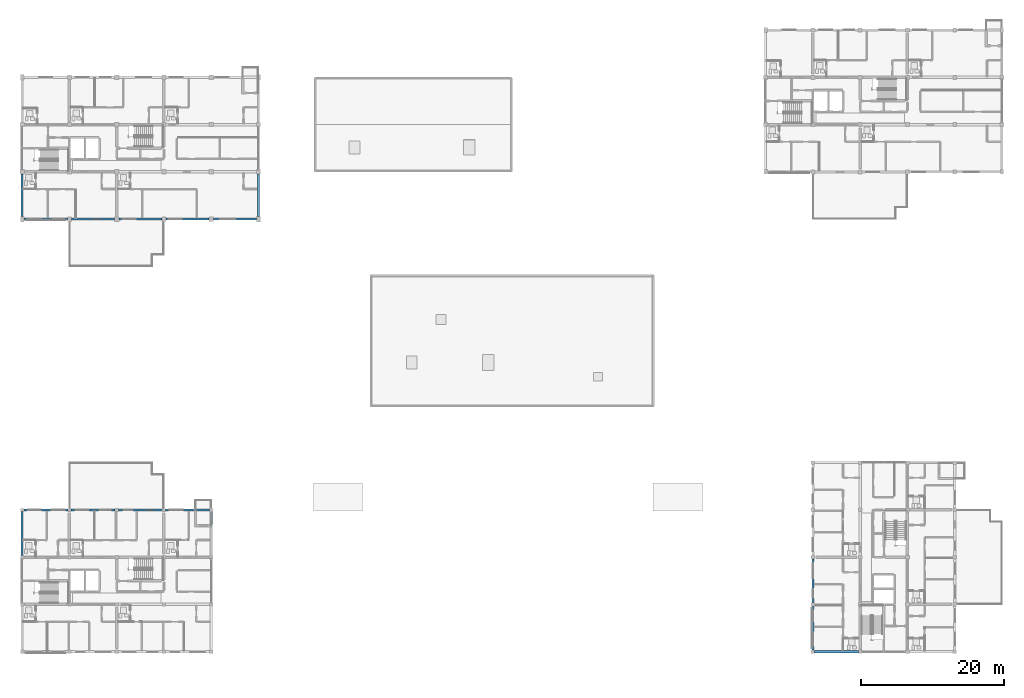
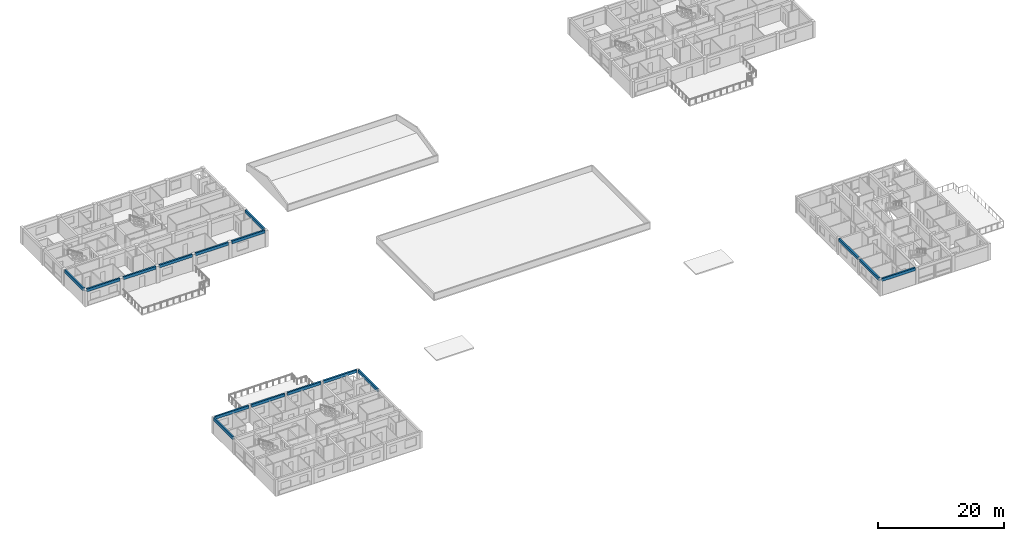
# One storey, part 10 of 51: 16 beams.
"""IFC4 building model written with IfcOpenShell, lengths in metres."""

from ifc_helpers import new_model, si_unit, direction, frame, origin, origin_2d, place, context, subcontext, project, spatial, rectangle, extrude, material, material_profile, profile_set, type_object, element, save


model = new_model("IFC4")

# Units and contexts
model_context = context("Model", 3, precision=1e-05, world=origin(), true_north=direction((0.0, 1.0)))
body_context = subcontext(model_context, "Body", "Model", "MODEL_VIEW")
ifc_project = project(units=[si_unit("LENGTHUNIT", "METRE"), si_unit("AREAUNIT", "SQUARE_METRE"), si_unit("VOLUMEUNIT", "CUBIC_METRE"), si_unit("PLANEANGLEUNIT", "RADIAN"), si_unit("MASSUNIT", "GRAM", prefix="KILO")], contexts=[model_context])

# Site, building, storey
site_placement = place(None, origin())
site = spatial("IfcSite", under=ifc_project, at=site_placement, CompositionType="ELEMENT")
building_placement = place(site_placement, origin())
building = spatial("IfcBuilding", under=site, at=building_placement, Name="Kernevlak Ridge Housing Community", CompositionType="ELEMENT")
storey_placement = place(building_placement, frame((0.0, 0.0, 8.39990234375)))
storey = spatial("IfcBuildingStorey", under=building, at=storey_placement, Name="L02", CompositionType="ELEMENT", Elevation=8.39990234375)

# Beams
ifc_material = material(Name="Concrete C35/45", Category="concrete")
ifc_material_profile = material_profile(ifc_material, rectangle(XDim=0.300048828125, YDim=0.550048828125, at=origin_2d()), Name="RC 300x550")
ifc_profile_set = profile_set([ifc_material_profile], Name="Concrete C35/45")
beam_type = type_object("IfcBeamType", Name="SP-01", PredefinedType="SPANDREL", material=ifc_profile_set)
beam_1_placement = place(storey_placement, frame((15.85009765625, 76.0, 2.925048828125), z_axis=(1.0, 0.0, 0.0), x_axis=(0.0, 1.0, 0.0)))
element("IfcBeam", 1, at=beam_1_placement, inside=storey, type_object=beam_type, Name="Beam SP-01 L02 109", PredefinedType="SPANDREL", context=body_context, shape_type="SweptSolid", body=[
    extrude(rectangle(XDim=0.300048828125, YDim=0.550048828125, at=origin_2d()), origin(), (0.0, 0.0, 1.0), 6.0498046875),
])
for number, where, z_axis, x_axis, name in (
    (2, (22.5, 76.0, 2.925048828125), (1.0, 0.0, 0.0), (0.0, 1.0, 0.0), "Beam SP-01 L02 110"),
    (3, (29.10009765625, 76.0, 2.925048828125), (1.0, 0.0, 0.0), (0.0, 1.0, 0.0), "Beam SP-01 L02 111"),
    (4, (35.699951171875, 76.0, 2.925048828125), (1.0, 0.0, 0.0), (0.0, 1.0, 0.0), "Beam SP-01 L02 112"),
):
    element("IfcBeam", number, at=place(storey_placement, frame(where, z_axis=z_axis, x_axis=x_axis)), inside=storey, type_object=beam_type, Name=name, PredefinedType="SPANDREL", context=body_context, shape_type="SweptSolid", body=[
        extrude(rectangle(XDim=0.300048828125, YDim=0.550048828125, at=origin_2d()), origin(), (0.0, 0.0, 1.0), 6.0),
    ])
beam_2_placement = place(storey_placement, frame((42.300048828125, 76.0, 2.925048828125), z_axis=(1.0, 0.0, 0.0), x_axis=(0.0, 1.0, 0.0)))
element("IfcBeam", 5, at=beam_2_placement, inside=storey, type_object=beam_type, Name="Beam SP-01 L02 113", PredefinedType="SPANDREL", context=body_context, shape_type="SweptSolid", body=[
    extrude(rectangle(XDim=0.300048828125, YDim=0.550048828125, at=origin_2d()), origin(), (0.0, 0.0, 1.0), 6.050048828125),
])
for number, where, z_axis, x_axis, name in (
    (6, (15.60009765625, 76.375, 2.925048828125), (0.0, 1.0, 0.0), (-1.0, 0.0, 0.0), "Beam SP-01 L02 129"),
    (7, (48.60009765625, 76.375, 2.925048828125), (0.0, 1.0, 0.0), (-1.0, 0.0, 0.0), "Beam SP-01 L02 132"),
):
    element("IfcBeam", number, at=place(storey_placement, frame(where, z_axis=z_axis, x_axis=x_axis)), inside=storey, type_object=beam_type, Name=name, PredefinedType="SPANDREL", context=body_context, shape_type="SweptSolid", body=[
        extrude(rectangle(XDim=0.300048828125, YDim=0.550048828125, at=origin_2d()), origin(), (0.0, 0.0, 1.0), 5.925048828125),
    ])
beam_3_placement = place(storey_placement, frame((126.0, 15.85009765625, 2.925048828125), z_axis=(0.0, 1.0, 0.0), x_axis=(-1.0, 0.0, 0.0)))
element("IfcBeam", 8, at=beam_3_placement, inside=storey, type_object=beam_type, Name="Beam SP-01 L02 1046", PredefinedType="SPANDREL", context=body_context, shape_type="SweptSolid", body=[
    extrude(rectangle(XDim=0.300048828125, YDim=0.550048828125, at=origin_2d()), origin(), (0.0, 0.0, 1.0), 6.099853515625),
])
for number, where, z_axis, x_axis, name in (
    (9, (126.0, 22.449951171875, 2.925048828125), (0.0, 1.0, 0.0), (-1.0, 0.0, 0.0), "Beam SP-01 L02 1047"),
    (10, (126.25, 15.60009765625, 2.925048828125), (1.0, 0.0, 0.0), (0.0, 1.0, 0.0), "Beam SP-01 L02 1062"),
):
    element("IfcBeam", number, at=place(storey_placement, frame(where, z_axis=z_axis, x_axis=x_axis)), inside=storey, type_object=beam_type, Name=name, PredefinedType="SPANDREL", context=body_context, shape_type="SweptSolid", body=[
        extrude(rectangle(XDim=0.300048828125, YDim=0.550048828125, at=origin_2d()), origin(), (0.0, 0.0, 1.0), 6.10009765625),
    ])
beam_4_placement = place(storey_placement, frame((15.824951171875, 35.39990234375, 2.925048828125), z_axis=(1.0, 0.0, 0.0), x_axis=(0.0, 1.0, 0.0)))
element("IfcBeam", 11, at=beam_4_placement, inside=storey, type_object=beam_type, Name="Beam SP-01 L02 1378", PredefinedType="SPANDREL", context=body_context, shape_type="SweptSolid", body=[
    extrude(rectangle(XDim=0.300048828125, YDim=0.550048828125, at=origin_2d()), origin(), (0.0, 0.0, 1.0), 6.150146484375),
])
beam_5_placement = place(storey_placement, frame((22.425048828125, 35.39990234375, 2.925048828125), z_axis=(1.0, 0.0, 0.0), x_axis=(0.0, 1.0, 0.0)))
element("IfcBeam", 12, at=beam_5_placement, inside=storey, type_object=beam_type, Name="Beam SP-01 L02 1379", PredefinedType="SPANDREL", context=body_context, shape_type="SweptSolid", body=[
    extrude(rectangle(XDim=0.300048828125, YDim=0.550048828125, at=origin_2d()), origin(), (0.0, 0.0, 1.0), 6.14990234375),
])
beam_6_placement = place(storey_placement, frame((29.02490234375, 35.39990234375, 2.925048828125), z_axis=(1.0, 0.0, 0.0), x_axis=(0.0, 1.0, 0.0)))
element("IfcBeam", 13, at=beam_6_placement, inside=storey, type_object=beam_type, Name="Beam SP-01 L02 1380", PredefinedType="SPANDREL", context=body_context, shape_type="SweptSolid", body=[
    extrude(rectangle(XDim=0.300048828125, YDim=0.550048828125, at=origin_2d()), origin(), (0.0, 0.0, 1.0), 6.150146484375),
])
beam_7_placement = place(storey_placement, frame((35.625, 35.39990234375, 2.925048828125), z_axis=(1.0, 0.0, 0.0), x_axis=(0.0, 1.0, 0.0)))
element("IfcBeam", 14, at=beam_7_placement, inside=storey, type_object=beam_type, Name="Beam SP-01 L02 1381", PredefinedType="SPANDREL", context=body_context, shape_type="SweptSolid", body=[
    extrude(rectangle(XDim=0.300048828125, YDim=0.550048828125, at=origin_2d()), origin(), (0.0, 0.0, 1.0), 6.14990234375),
])
for number, where, z_axis, x_axis, name in (
    (15, (15.60009765625, 29.02490234375, 2.925048828125), (0.0, 1.0, 0.0), (-1.0, 0.0, 0.0), "Beam SP-01 L02 1384"),
    (16, (42.0, 29.02490234375, 2.925048828125), (0.0, 1.0, 0.0), (-1.0, 0.0, 0.0), "Beam SP-01 L02 1387"),
):
    element("IfcBeam", number, at=place(storey_placement, frame(where, z_axis=z_axis, x_axis=x_axis)), inside=storey, type_object=beam_type, Name=name, PredefinedType="SPANDREL", context=body_context, shape_type="SweptSolid", body=[
        extrude(rectangle(XDim=0.300048828125, YDim=0.550048828125, at=origin_2d()), origin(), (0.0, 0.0, 1.0), 6.150146484375),
    ])

save(model, "model.ifc")
